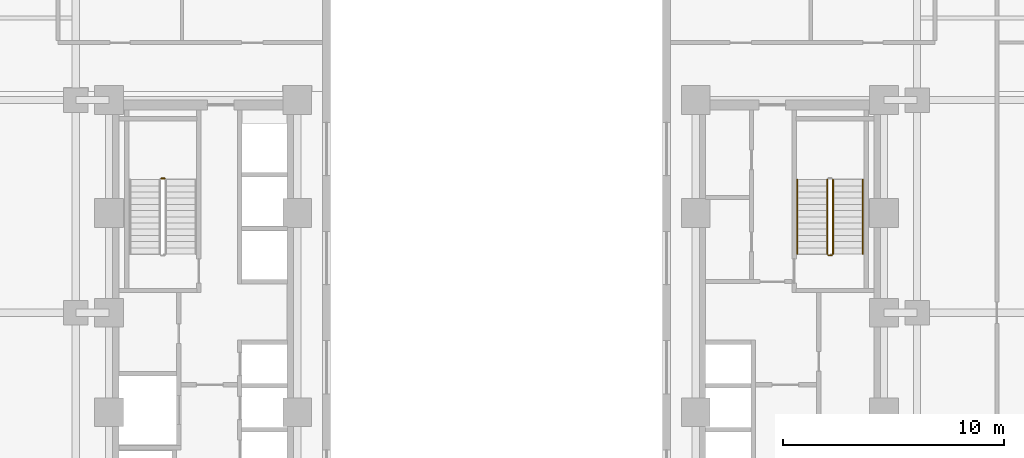
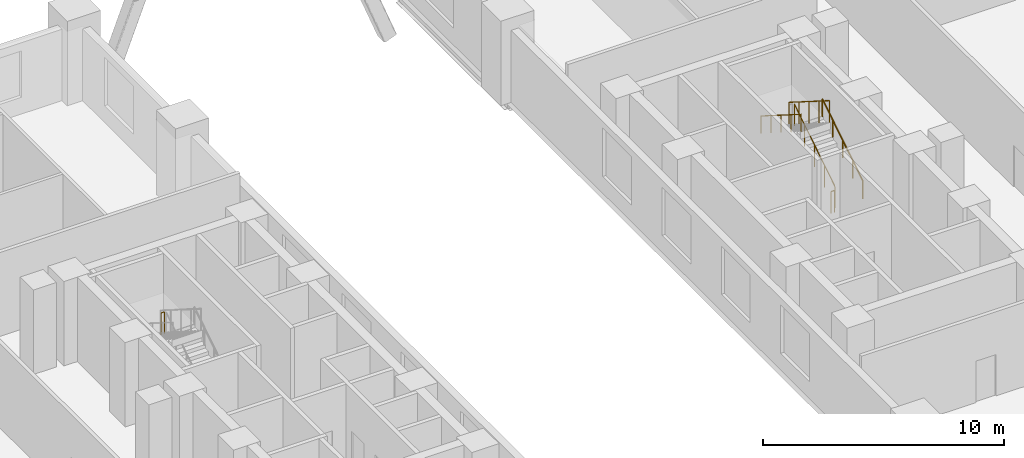
# One storey, part 13 of 15: 6 railings.
"""IFC4 building model written with IfcOpenShell, lengths in metres."""

from ifc_helpers import new_model, si_unit, direction, frame, origin, origin_2d, place, context, subcontext, project, spatial, circle, extrude, material, type_object, element, save


model = new_model("IFC4")

# Units and contexts
model_context = context("Model", 3, precision=1e-05, world=origin(), true_north=direction((0.0, 1.0)))
body_context = subcontext(model_context, "Body", "Model", "MODEL_VIEW")
ifc_project = project(units=[si_unit("LENGTHUNIT", "METRE"), si_unit("AREAUNIT", "SQUARE_METRE"), si_unit("VOLUMEUNIT", "CUBIC_METRE"), si_unit("PLANEANGLEUNIT", "RADIAN"), si_unit("MASSUNIT", "GRAM", prefix="KILO")], contexts=[model_context])

# Site, building, storey
site_placement = place(None, origin())
site = spatial("IfcSite", under=ifc_project, at=site_placement, CompositionType="ELEMENT")
building_placement = place(site_placement, origin())
building = spatial("IfcBuilding", under=site, at=building_placement, Name="Nuvemarco Arch Tower", CompositionType="ELEMENT")
storey_placement = place(building_placement, frame((0.0, 0.0, 9.199951171875)))
storey = spatial("IfcBuildingStorey", under=building, at=storey_placement, Name="L02", CompositionType="ELEMENT", Elevation=9.199951171875)

# Railings
ifc_material_1 = material(Name="Brushed stainless steel handrail", Category="steel")
railing_type_1 = type_object("IfcRailingType", Name="RL-HANDRAIL-900", PredefinedType="HANDRAIL", material=ifc_material_1)
railing_1_placement = place(storey_placement, frame((16.550048828125, 2.64990234375, 0.177001953125)))
element("IfcRailing", 1, at=railing_1_placement, inside=storey, type_object=railing_type_1, Name="L02 ST-2 stair handrail 1", PredefinedType="HANDRAIL", context=body_context, shape_type="SweptSolid", body=[
    extrude(circle(Radius=0.02392578125, at=origin_2d()), frame((0.0, 0.0, 0.8759765625), z_axis=(0.0, 0.845389635667, 0.534150132366), x_axis=(-1.0, 0.0, 0.0)), (0.0, 0.0, 1.0), 3.974609375),
    extrude(circle(Radius=0.02099609375, at=origin_2d()), origin(), (0.0, 0.0, 1.0), 0.851806640625),
    extrude(circle(Radius=0.02099609375, at=origin_2d()), frame((0.0, 0.840087890625, 0.53076171875)), (0.0, 0.0, 1.0), 0.851806640625),
    extrude(circle(Radius=0.02099609375, at=origin_2d()), frame((0.0, 1.68017578125, 1.0615234375)), (0.0, 0.0, 1.0), 0.851806640625),
    extrude(circle(Radius=0.02099609375, at=origin_2d()), frame((0.0, 2.52001953125, 1.59228515625)), (0.0, 0.0, 1.0), 0.851806640625),
    extrude(circle(Radius=0.02099609375, at=origin_2d()), frame((0.0, 3.360107421875, 2.123046875)), (0.0, 0.0, 1.0), 0.851806640625),
])
railing_2_placement = place(storey_placement, frame((13.590087890625, 6.010009765625, 2.47705078125)))
element("IfcRailing", 2, at=railing_2_placement, inside=storey, type_object=railing_type_1, Name="L02 ST-2 stair handrail 2", PredefinedType="HANDRAIL", context=body_context, shape_type="SweptSolid", body=[
    extrude(circle(Radius=0.02392578125, at=origin_2d()), frame((0.0, 0.0, 0.8759765625), z_axis=(0.0, -0.845389635667, 0.534150132366), x_axis=(1.0, 0.0, 0.0)), (0.0, 0.0, 1.0), 3.974609375),
    extrude(circle(Radius=0.02099609375, at=origin_2d()), origin(), (0.0, 0.0, 1.0), 0.851806640625),
    extrude(circle(Radius=0.02099609375, at=origin_2d()), frame((0.0, -0.840087890625, 0.53076171875)), (0.0, 0.0, 1.0), 0.851806640625),
    extrude(circle(Radius=0.02099609375, at=origin_2d()), frame((0.0, -1.68017578125, 1.0615234375)), (0.0, 0.0, 1.0), 0.851806640625),
    extrude(circle(Radius=0.02099609375, at=origin_2d()), frame((0.0, -2.52001953125, 1.59228515625)), (0.0, 0.0, 1.0), 0.851806640625),
    extrude(circle(Radius=0.02099609375, at=origin_2d()), frame((0.0, -3.360107421875, 2.123046875)), (0.0, 0.0, 1.0), 0.851806640625),
])
ifc_material_2 = material(Name="Painted balustrade steel S355", Category="steel")
railing_type_2 = type_object("IfcRailingType", Name="RL-STAIR-GUARD", PredefinedType="GUARDRAIL", material=ifc_material_2)
railing_3_placement = place(storey_placement, frame((-14.989990234375, 6.06005859375, 2.300048828125)))
element("IfcRailing", 3, at=railing_3_placement, inside=storey, type_object=railing_type_2, Name="L02 ST-1 stair guard 2", PredefinedType="GUARDRAIL", context=body_context, shape_type="SweptSolid", body=[
    extrude(circle(Radius=0.02392578125, at=origin_2d()), frame((0.0, 0.0, 1.09619140625), z_axis=(-1.0, 0.0, 0.0), x_axis=(0.0, -1.0, 0.0)), (0.0, 0.0, 1.0), 0.159912109375),
    extrude(circle(Radius=0.02099609375, at=origin_2d()), origin(), (0.0, 0.0, 1.0), 1.072021484375),
    extrude(circle(Radius=0.02099609375, at=origin_2d()), frame((-0.159912109375, 0.0, 0.0)), (0.0, 0.0, 1.0), 1.072021484375),
])
railing_4_placement = place(storey_placement, frame((15.199951171875, 2.64990234375, 0.177001953125)))
element("IfcRailing", 4, at=railing_4_placement, inside=storey, type_object=railing_type_2, Name="L02 ST-2 stair guard 1", PredefinedType="GUARDRAIL", context=body_context, shape_type="SweptSolid", body=[
    extrude(circle(Radius=0.02392578125, at=origin_2d()), frame((0.0, 0.0, 1.09619140625), z_axis=(0.0, 0.845389635667, 0.534150132366), x_axis=(-1.0, 0.0, 0.0)), (0.0, 0.0, 1.0), 3.974609375),
    extrude(circle(Radius=0.02099609375, at=origin_2d()), origin(), (0.0, 0.0, 1.0), 1.072021484375),
    extrude(circle(Radius=0.02099609375, at=origin_2d()), frame((0.0, 0.840087890625, 0.53076171875)), (0.0, 0.0, 1.0), 1.072021484375),
    extrude(circle(Radius=0.02099609375, at=origin_2d()), frame((0.0, 1.68017578125, 1.0615234375)), (0.0, 0.0, 1.0), 1.072021484375),
    extrude(circle(Radius=0.02099609375, at=origin_2d()), frame((0.0, 2.52001953125, 1.59228515625)), (0.0, 0.0, 1.0), 1.072021484375),
    extrude(circle(Radius=0.02099609375, at=origin_2d()), frame((0.0, 3.360107421875, 2.123046875)), (0.0, 0.0, 1.0), 1.072021484375),
])
railing_5_placement = place(storey_placement, frame((14.93994140625, 6.010009765625, 2.47705078125)))
element("IfcRailing", 5, at=railing_5_placement, inside=storey, type_object=railing_type_2, Name="L02 ST-2 stair guard 3", PredefinedType="GUARDRAIL", context=body_context, shape_type="SweptSolid", body=[
    extrude(circle(Radius=0.02392578125, at=origin_2d()), frame((0.0, 0.0, 1.09619140625), z_axis=(0.0, -0.845389635667, 0.534150132366), x_axis=(1.0, 0.0, 0.0)), (0.0, 0.0, 1.0), 3.974609375),
    extrude(circle(Radius=0.02099609375, at=origin_2d()), origin(), (0.0, 0.0, 1.0), 1.072021484375),
    extrude(circle(Radius=0.02099609375, at=origin_2d()), frame((0.0, -0.840087890625, 0.53076171875)), (0.0, 0.0, 1.0), 1.072021484375),
    extrude(circle(Radius=0.02099609375, at=origin_2d()), frame((0.0, -1.68017578125, 1.0615234375)), (0.0, 0.0, 1.0), 1.072021484375),
    extrude(circle(Radius=0.02099609375, at=origin_2d()), frame((0.0, -2.52001953125, 1.59228515625)), (0.0, 0.0, 1.0), 1.072021484375),
    extrude(circle(Radius=0.02099609375, at=origin_2d()), frame((0.0, -3.360107421875, 2.123046875)), (0.0, 0.0, 1.0), 1.072021484375),
])
railing_6_placement = place(storey_placement, frame((15.14990234375, 2.60009765625, 0.0)))
element("IfcRailing", 6, at=railing_6_placement, inside=storey, type_object=railing_type_2, Name="L02 ST-2 stair guard 4", PredefinedType="GUARDRAIL", context=body_context, shape_type="SweptSolid", body=[
    extrude(circle(Radius=0.02392578125, at=origin_2d()), frame((0.0, 0.0, 1.09619140625), z_axis=(-1.0, 0.0, 0.0), x_axis=(0.0, -1.0, 0.0)), (0.0, 0.0, 1.0), 0.159912109375),
    extrude(circle(Radius=0.02099609375, at=origin_2d()), origin(), (0.0, 0.0, 1.0), 1.072021484375),
    extrude(circle(Radius=0.02099609375, at=origin_2d()), frame((-0.159912109375, 0.0, 0.0)), (0.0, 0.0, 1.0), 1.072021484375),
])

save(model, "model.ifc")
